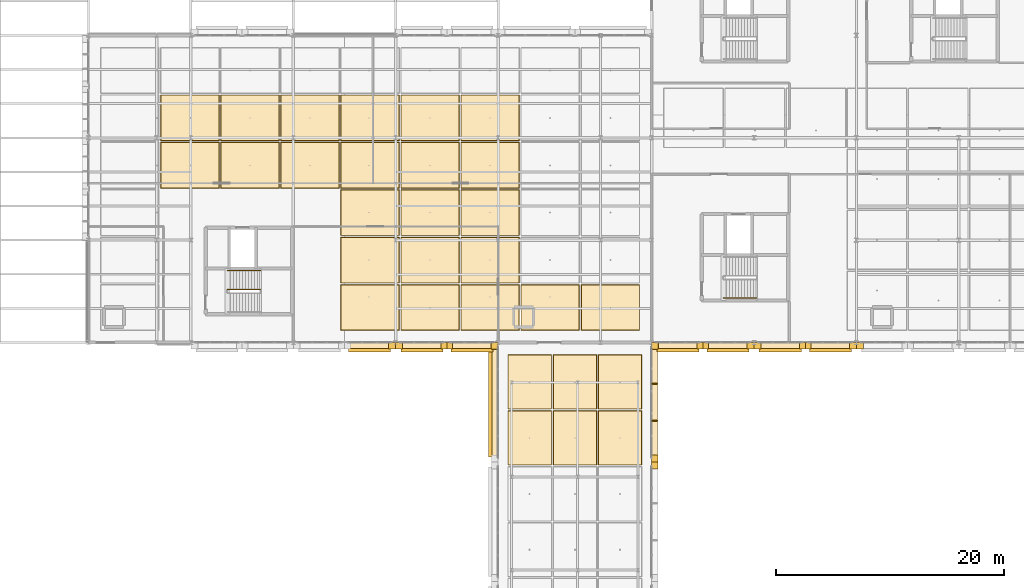
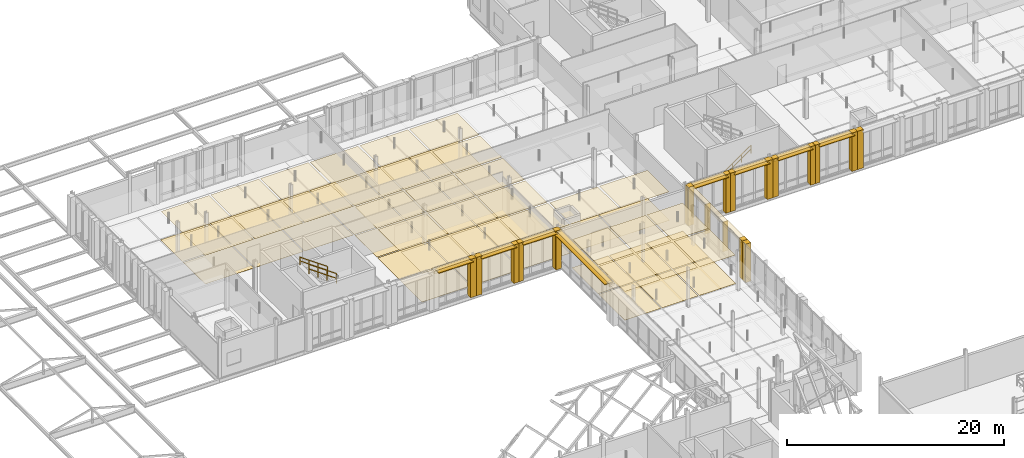
# One storey, part 135 of 140: 85 coverings, 10 shading devices, 3 railings.
"""IFC4 building model written with IfcOpenShell, lengths in metres."""

from ifc_helpers import new_model, si_unit, direction, frame, origin, origin_2d, place, context, subcontext, project, spatial, rectangle, circle, extrude, material, layer, layer_set, type_object, element, save


model = new_model("IFC4")

# Units and contexts
model_context = context("Model", 3, precision=1e-05, world=origin(), true_north=direction((0.0, 1.0)))
body_context = subcontext(model_context, "Body", "Model", "MODEL_VIEW")
ifc_project = project(units=[si_unit("LENGTHUNIT", "METRE"), si_unit("AREAUNIT", "SQUARE_METRE"), si_unit("VOLUMEUNIT", "CUBIC_METRE"), si_unit("PLANEANGLEUNIT", "RADIAN"), si_unit("MASSUNIT", "GRAM", prefix="KILO"), si_unit("THERMODYNAMICTEMPERATUREUNIT", "KELVIN"), si_unit("POWERUNIT", "WATT")], contexts=[model_context])

# Site, building, storey
site_placement = place(None, origin())
site = spatial("IfcSite", under=ifc_project, at=site_placement, CompositionType="ELEMENT")
building_placement = place(site_placement, origin())
building = spatial("IfcBuilding", under=site, at=building_placement, Name="Tallowbark Science Centre", CompositionType="ELEMENT")
storey_placement = place(building_placement, frame((0.0, 0.0, 9.89990234375)))
storey = spatial("IfcBuildingStorey", under=building, at=storey_placement, Name="L02", CompositionType="ELEMENT", Elevation=9.89990234375)

# Coverings
ifc_material_1 = material(Name="Cleanable Vinyl-Faced Laboratory Ceiling Tile")
ifc_layer_1 = layer(ifc_material_1, 0.01611328125)
ifc_layer_set_1 = layer_set([ifc_layer_1], Name="Cleanable Vinyl-Faced Laboratory Ceiling Tile")
covering_type_1 = type_object("IfcCoveringType", Name="CLG-LAB-16", PredefinedType="CEILING", material=ifc_layer_set_1)
for number, where, z_axis, x_axis, name in (
    (1, (71.916748046875, 87.583251953125, 3.192138671875), (0.0, 0.0, 1.0), (1.0, 0.0, 0.0), "Suspended Ceiling L02-872"),
    (2, (71.916748046875, 91.75, 3.192138671875), (0.0, 0.0, 1.0), (1.0, 0.0, 0.0), "Suspended Ceiling L02-873"),
    (3, (77.1943359375, 87.583251953125, 3.192138671875), (0.0, 0.0, 1.0), (1.0, 0.0, 0.0), "Suspended Ceiling L02-875"),
    (4, (77.1943359375, 91.75, 3.192138671875), (0.0, 0.0, 1.0), (1.0, 0.0, 0.0), "Suspended Ceiling L02-876"),
    (5, (82.47216796875, 87.583251953125, 3.192138671875), (0.0, 0.0, 1.0), (1.0, 0.0, 0.0), "Suspended Ceiling L02-878"),
    (6, (82.47216796875, 91.75, 3.192138671875), (0.0, 0.0, 1.0), (1.0, 0.0, 0.0), "Suspended Ceiling L02-879"),
    (7, (87.75, 75.083251953125, 3.192138671875), (0.0, 0.0, 1.0), (1.0, 0.0, 0.0), "Suspended Ceiling L02-881"),
    (8, (87.75, 79.25, 3.192138671875), (0.0, 0.0, 1.0), (1.0, 0.0, 0.0), "Suspended Ceiling L02-882"),
    (9, (87.75, 83.416748046875, 3.192138671875), (0.0, 0.0, 1.0), (1.0, 0.0, 0.0), "Suspended Ceiling L02-883"),
    (10, (87.75, 87.583251953125, 3.192138671875), (0.0, 0.0, 1.0), (1.0, 0.0, 0.0), "Suspended Ceiling L02-884"),
    (11, (87.75, 91.75, 3.192138671875), (0.0, 0.0, 1.0), (1.0, 0.0, 0.0), "Suspended Ceiling L02-885"),
    (12, (93.02783203125, 75.083251953125, 3.192138671875), (0.0, 0.0, 1.0), (1.0, 0.0, 0.0), "Suspended Ceiling L02-887"),
    (13, (93.02783203125, 79.25, 3.192138671875), (0.0, 0.0, 1.0), (1.0, 0.0, 0.0), "Suspended Ceiling L02-888"),
    (14, (93.02783203125, 83.416748046875, 3.192138671875), (0.0, 0.0, 1.0), (1.0, 0.0, 0.0), "Suspended Ceiling L02-889"),
    (15, (93.02783203125, 87.583251953125, 3.192138671875), (0.0, 0.0, 1.0), (1.0, 0.0, 0.0), "Suspended Ceiling L02-890"),
    (16, (93.02783203125, 91.75, 3.192138671875), (0.0, 0.0, 1.0), (1.0, 0.0, 0.0), "Suspended Ceiling L02-891"),
    (17, (98.3056640625, 75.083251953125, 3.192138671875), (0.0, 0.0, 1.0), (1.0, 0.0, 0.0), "Suspended Ceiling L02-893"),
    (18, (98.3056640625, 79.25, 3.192138671875), (0.0, 0.0, 1.0), (1.0, 0.0, 0.0), "Suspended Ceiling L02-894"),
    (19, (98.3056640625, 83.416748046875, 3.192138671875), (0.0, 0.0, 1.0), (1.0, 0.0, 0.0), "Suspended Ceiling L02-895"),
    (20, (98.3056640625, 87.583251953125, 3.192138671875), (0.0, 0.0, 1.0), (1.0, 0.0, 0.0), "Suspended Ceiling L02-896"),
    (21, (98.3056640625, 91.75, 3.192138671875), (0.0, 0.0, 1.0), (1.0, 0.0, 0.0), "Suspended Ceiling L02-897"),
    (22, (103.583251953125, 75.083251953125, 3.192138671875), (0.0, 0.0, 1.0), (1.0, 0.0, 0.0), "Suspended Ceiling L02-899"),
    (23, (108.861083984375, 75.083251953125, 3.192138671875), (0.0, 0.0, 1.0), (1.0, 0.0, 0.0), "Suspended Ceiling L02-905"),
):
    element("IfcCovering", number, at=place(storey_placement, frame(where, z_axis=z_axis, x_axis=x_axis)), inside=storey, type_object=covering_type_1, Name=name, PredefinedType="CEILING", context=body_context, shape_type="SweptSolid", body=[
        extrude(rectangle(XDim=5.097900390625, YDim=3.98681640625, at=origin_2d()), origin(), (0.0, 0.0, 1.0), 0.01611328125),
    ])
ifc_material_2 = material(Name="Perforated Spotted Gum Acoustic Baffle Ceiling", Category="wood")
ifc_layer_2 = layer(ifc_material_2, 0.02490234375)
ifc_layer_set_2 = layer_set([ifc_layer_2], Name="Perforated Spotted Gum Acoustic Baffle Ceiling")
covering_type_2 = type_object("IfcCoveringType", Name="CLG-TIM-25", PredefinedType="CEILING", material=ifc_layer_set_2)
for number, where, z_axis, x_axis, name in (
    (24, (101.783203125, 63.625, 3.187744140625), (0.0, 0.0, 1.0), (1.0, 0.0, 0.0), "Suspended Ceiling L02-852"),
    (25, (101.783203125, 68.541748046875, 3.187744140625), (0.0, 0.0, 1.0), (1.0, 0.0, 0.0), "Suspended Ceiling L02-853"),
    (26, (105.75, 63.625, 3.187744140625), (0.0, 0.0, 1.0), (1.0, 0.0, 0.0), "Suspended Ceiling L02-858"),
    (27, (105.75, 68.541748046875, 3.187744140625), (0.0, 0.0, 1.0), (1.0, 0.0, 0.0), "Suspended Ceiling L02-859"),
    (28, (109.716796875, 63.625, 3.187744140625), (0.0, 0.0, 1.0), (1.0, 0.0, 0.0), "Suspended Ceiling L02-864"),
    (29, (109.716796875, 68.541748046875, 3.187744140625), (0.0, 0.0, 1.0), (1.0, 0.0, 0.0), "Suspended Ceiling L02-865"),
):
    element("IfcCovering", number, at=place(storey_placement, frame(where, z_axis=z_axis, x_axis=x_axis)), inside=storey, type_object=covering_type_2, Name=name, PredefinedType="CEILING", context=body_context, shape_type="SweptSolid", body=[
        extrude(rectangle(XDim=3.78662109375, YDim=4.73681640625, at=origin_2d()), origin(), (0.0, 0.0, 1.0), 0.02490234375),
    ])
ifc_material_3 = material(Name="White Architectural Precast Concrete Grade N40 (40 MPa)", Category="concrete")
ifc_layer_3 = layer(ifc_material_3, 0.1201171875)
ifc_layer_set_3 = layer_set([ifc_layer_3], Name="White Architectural Precast Concrete Grade N40 (40 MPa)")
covering_type_3 = type_object("IfcCoveringType", Name="COV-PRC-CLAD", PredefinedType="CLADDING", material=ifc_layer_set_3)
for number, where, z_axis, x_axis, name in (
    (30, (112.780029296875, 61.195068359375, 0.0), (0.0, 0.0, 1.0), (0.0, 1.0, 0.0), "Postmodern Deep Precast Pier CW-L02-019-2"),
    (31, (98.719970703125, 71.695068359375, 0.0), (0.0, 0.0, 1.0), (0.0, -1.0, 0.0), "Postmodern Deep Precast Pier CW-L02-020-1"),
    (32, (112.780029296875, 61.804931640625, 0.0), (0.0, 0.0, 1.0), (0.0, 1.0, 0.0), "Postmodern Deep Precast Pier CW-L02-021-1"),
    (33, (112.780029296875, 71.695068359375, 0.0), (0.0, 0.0, 1.0), (0.0, 1.0, 0.0), "Postmodern Deep Precast Pier CW-L02-021-2"),
    (34, (89.695068359375, 71.719970703125, 0.0), (0.0, 0.0, 1.0), (1.0, 0.0, 0.0), "Postmodern Deep Precast Pier CW-L02-063-2"),
    (35, (90.304931640625, 71.719970703125, 0.0), (0.0, 0.0, 1.0), (1.0, 0.0, 0.0), "Postmodern Deep Precast Pier CW-L02-064-1"),
):
    element("IfcCovering", number, at=place(storey_placement, frame(where, z_axis=z_axis, x_axis=x_axis)), inside=storey, type_object=covering_type_3, Name=name, PredefinedType="CLADDING", context=body_context, shape_type="SweptSolid", body=[
        extrude(rectangle(XDim=0.610107421875, YDim=0.56005859375, at=origin_2d()), origin(), (0.0, 0.0, 1.0), 4.320068359375),
    ])
for number, where, z_axis, x_axis, name in (
    (36, (94.2451171875, 71.719970703125, 0.0), (0.0, 0.0, 1.0), (1.0, 0.0, 0.0), "Postmodern Deep Precast Pier CW-L02-064-2"),
    (37, (94.7548828125, 71.719970703125, 0.0), (0.0, 0.0, 1.0), (1.0, 0.0, 0.0), "Postmodern Deep Precast Pier CW-L02-065-1"),
):
    element("IfcCovering", number, at=place(storey_placement, frame(where, z_axis=z_axis, x_axis=x_axis)), inside=storey, type_object=covering_type_3, Name=name, PredefinedType="CLADDING", context=body_context, shape_type="SweptSolid", body=[
        extrude(rectangle(XDim=0.510009765625, YDim=0.56005859375, at=origin_2d()), origin(), (0.0, 0.0, 1.0), 4.320068359375),
    ])
for number, where, z_axis, x_axis, name in (
    (38, (98.695068359375, 71.719970703125, 0.0), (0.0, 0.0, 1.0), (1.0, 0.0, 0.0), "Postmodern Deep Precast Pier CW-L02-065-2"),
    (39, (112.804931640625, 71.719970703125, 0.0), (0.0, 0.0, 1.0), (1.0, 0.0, 0.0), "Postmodern Deep Precast Pier CW-L02-138-1"),
):
    element("IfcCovering", number, at=place(storey_placement, frame(where, z_axis=z_axis, x_axis=x_axis)), inside=storey, type_object=covering_type_3, Name=name, PredefinedType="CLADDING", context=body_context, shape_type="SweptSolid", body=[
        extrude(rectangle(XDim=0.610107421875, YDim=0.56005859375, at=origin_2d()), origin(), (0.0, 0.0, 1.0), 4.320068359375),
    ])
for number, where, z_axis, x_axis, name in (
    (40, (116.7451171875, 71.719970703125, 0.0), (0.0, 0.0, 1.0), (1.0, 0.0, 0.0), "Postmodern Deep Precast Pier CW-L02-138-2"),
    (41, (117.2548828125, 71.719970703125, 0.0), (0.0, 0.0, 1.0), (1.0, 0.0, 0.0), "Postmodern Deep Precast Pier CW-L02-139-1"),
):
    element("IfcCovering", number, at=place(storey_placement, frame(where, z_axis=z_axis, x_axis=x_axis)), inside=storey, type_object=covering_type_3, Name=name, PredefinedType="CLADDING", context=body_context, shape_type="SweptSolid", body=[
        extrude(rectangle(XDim=0.510009765625, YDim=0.56005859375, at=origin_2d()), origin(), (0.0, 0.0, 1.0), 4.320068359375),
    ])
for number, where, z_axis, x_axis, name in (
    (42, (121.195068359375, 71.719970703125, 0.0), (0.0, 0.0, 1.0), (1.0, 0.0, 0.0), "Postmodern Deep Precast Pier CW-L02-139-2"),
    (43, (121.804931640625, 71.719970703125, 0.0), (0.0, 0.0, 1.0), (1.0, 0.0, 0.0), "Postmodern Deep Precast Pier CW-L02-142-1"),
):
    element("IfcCovering", number, at=place(storey_placement, frame(where, z_axis=z_axis, x_axis=x_axis)), inside=storey, type_object=covering_type_3, Name=name, PredefinedType="CLADDING", context=body_context, shape_type="SweptSolid", body=[
        extrude(rectangle(XDim=0.610107421875, YDim=0.56005859375, at=origin_2d()), origin(), (0.0, 0.0, 1.0), 4.320068359375),
    ])
for number, where, z_axis, x_axis, name in (
    (44, (125.7451171875, 71.719970703125, 0.0), (0.0, 0.0, 1.0), (1.0, 0.0, 0.0), "Postmodern Deep Precast Pier CW-L02-142-2"),
    (45, (126.2548828125, 71.719970703125, 0.0), (0.0, 0.0, 1.0), (1.0, 0.0, 0.0), "Postmodern Deep Precast Pier CW-L02-143-1"),
):
    element("IfcCovering", number, at=place(storey_placement, frame(where, z_axis=z_axis, x_axis=x_axis)), inside=storey, type_object=covering_type_3, Name=name, PredefinedType="CLADDING", context=body_context, shape_type="SweptSolid", body=[
        extrude(rectangle(XDim=0.510009765625, YDim=0.56005859375, at=origin_2d()), origin(), (0.0, 0.0, 1.0), 4.320068359375),
    ])
for number, where, z_axis, x_axis, name in (
    (46, (130.195068359375, 71.719970703125, 0.0), (0.0, 0.0, 1.0), (1.0, 0.0, 0.0), "Postmodern Deep Precast Pier CW-L02-143-2"),
    (47, (130.804931640625, 71.719970703125, 0.0), (0.0, 0.0, 1.0), (1.0, 0.0, 0.0), "Postmodern Deep Precast Pier CW-L02-146-1"),
):
    element("IfcCovering", number, at=place(storey_placement, frame(where, z_axis=z_axis, x_axis=x_axis)), inside=storey, type_object=covering_type_3, Name=name, PredefinedType="CLADDING", context=body_context, shape_type="SweptSolid", body=[
        extrude(rectangle(XDim=0.610107421875, YDim=0.56005859375, at=origin_2d()), origin(), (0.0, 0.0, 1.0), 4.320068359375),
    ])
ifc_material_4 = material(Name="Vitrified Ochre Terracotta Architectural Rainscreen", Category="masonry")
ifc_layer_4 = layer(ifc_material_4, 0.0380859375)
ifc_layer_set_4 = layer_set([ifc_layer_4], Name="Vitrified Ochre Terracotta Architectural Rainscreen")
covering_type_4 = type_object("IfcCoveringType", Name="COV-TER-CLAD", PredefinedType="CLADDING", material=ifc_layer_set_4)
for number, where, z_axis, x_axis, name in (
    (48, (98.739990234375, 66.75, 3.97021484375), (0.0, 0.0, 1.0), (0.0, -1.0, 0.0), "Postmodern Terracotta Cornice Band CW-L02-020"),
    (49, (112.760009765625, 66.75, 3.97021484375), (0.0, 0.0, 1.0), (0.0, 1.0, 0.0), "Postmodern Terracotta Cornice Band CW-L02-021"),
):
    element("IfcCovering", number, at=place(storey_placement, frame(where, z_axis=z_axis, x_axis=x_axis)), inside=storey, type_object=covering_type_4, Name=name, PredefinedType="CLADDING", context=body_context, shape_type="SweptSolid", body=[
        extrude(rectangle(XDim=10.199951171875, YDim=0.52001953125, at=origin_2d()), origin(), (0.0, 0.0, 1.0), 0.340087890625),
    ])
for number, where, z_axis, x_axis, name in (
    (50, (87.699951171875, 71.739990234375, 3.97021484375), (0.0, 0.0, 1.0), (1.0, 0.0, 0.0), "Postmodern Terracotta Cornice Band CW-L02-063"),
    (51, (92.300048828125, 71.739990234375, 3.97021484375), (0.0, 0.0, 1.0), (1.0, 0.0, 0.0), "Postmodern Terracotta Cornice Band CW-L02-064"),
    (52, (96.699951171875, 71.739990234375, 3.97021484375), (0.0, 0.0, 1.0), (1.0, 0.0, 0.0), "Postmodern Terracotta Cornice Band CW-L02-065"),
    (53, (114.800048828125, 71.739990234375, 3.97021484375), (0.0, 0.0, 1.0), (1.0, 0.0, 0.0), "Postmodern Terracotta Cornice Band CW-L02-138"),
    (54, (119.199951171875, 71.739990234375, 3.97021484375), (0.0, 0.0, 1.0), (1.0, 0.0, 0.0), "Postmodern Terracotta Cornice Band CW-L02-139"),
    (55, (123.800048828125, 71.739990234375, 3.97021484375), (0.0, 0.0, 1.0), (1.0, 0.0, 0.0), "Postmodern Terracotta Cornice Band CW-L02-142"),
    (56, (128.199951171875, 71.739990234375, 3.97021484375), (0.0, 0.0, 1.0), (1.0, 0.0, 0.0), "Postmodern Terracotta Cornice Band CW-L02-143"),
):
    element("IfcCovering", number, at=place(storey_placement, frame(where, z_axis=z_axis, x_axis=x_axis)), inside=storey, type_object=covering_type_4, Name=name, PredefinedType="CLADDING", context=body_context, shape_type="SweptSolid", body=[
        extrude(rectangle(XDim=4.300048828125, YDim=0.52001953125, at=origin_2d()), origin(), (0.0, 0.0, 1.0), 0.340087890625),
    ])
ifc_material_5 = material(Name="Polished Recycled-Glass Terrazzo Foyer Flooring", Category="glass")
ifc_layer_5 = layer(ifc_material_5, 0.02001953125)
ifc_layer_set_5 = layer_set([ifc_layer_5], Name="Polished Recycled-Glass Terrazzo Foyer Flooring")
covering_type_5 = type_object("IfcCoveringType", Name="FLR-TER-20", PredefinedType="FLOORING", material=ifc_layer_set_5)
for number, where, z_axis, x_axis, name in (
    (57, (101.783203125, 63.625, 0.0), (0.0, 0.0, 1.0), (1.0, 0.0, 0.0), "Floor Finish L02-852"),
    (58, (101.783203125, 68.541748046875, 0.0), (0.0, 0.0, 1.0), (1.0, 0.0, 0.0), "Floor Finish L02-853"),
    (59, (105.75, 63.625, 0.0), (0.0, 0.0, 1.0), (1.0, 0.0, 0.0), "Floor Finish L02-858"),
    (60, (105.75, 68.541748046875, 0.0), (0.0, 0.0, 1.0), (1.0, 0.0, 0.0), "Floor Finish L02-859"),
    (61, (109.716796875, 63.625, 0.0), (0.0, 0.0, 1.0), (1.0, 0.0, 0.0), "Floor Finish L02-864"),
    (62, (109.716796875, 68.541748046875, 0.0), (0.0, 0.0, 1.0), (1.0, 0.0, 0.0), "Floor Finish L02-865"),
):
    element("IfcCovering", number, at=place(storey_placement, frame(where, z_axis=z_axis, x_axis=x_axis)), inside=storey, type_object=covering_type_5, Name=name, PredefinedType="FLOORING", context=body_context, shape_type="SweptSolid", body=[
        extrude(rectangle(XDim=3.8466796875, YDim=4.796630859375, at=origin_2d()), origin(), (0.0, 0.0, 1.0), 0.02001953125),
    ])
ifc_material_6 = material(Name="Chemical-Resistant Seamless Laboratory Vinyl")
ifc_layer_6 = layer(ifc_material_6, 0.011962890625)
ifc_layer_set_6 = layer_set([ifc_layer_6], Name="Chemical-Resistant Seamless Laboratory Vinyl")
covering_type_6 = type_object("IfcCoveringType", Name="FLR-VIN-12", PredefinedType="FLOORING", material=ifc_layer_set_6)
for number, where, z_axis, x_axis, name in (
    (63, (71.916748046875, 87.583251953125, 0.0), (0.0, 0.0, 1.0), (1.0, 0.0, 0.0), "Floor Finish L02-872"),
    (64, (71.916748046875, 91.75, 0.0), (0.0, 0.0, 1.0), (1.0, 0.0, 0.0), "Floor Finish L02-873"),
    (65, (77.1943359375, 87.583251953125, 0.0), (0.0, 0.0, 1.0), (1.0, 0.0, 0.0), "Floor Finish L02-875"),
    (66, (77.1943359375, 91.75, 0.0), (0.0, 0.0, 1.0), (1.0, 0.0, 0.0), "Floor Finish L02-876"),
    (67, (82.47216796875, 87.583251953125, 0.0), (0.0, 0.0, 1.0), (1.0, 0.0, 0.0), "Floor Finish L02-878"),
    (68, (82.47216796875, 91.75, 0.0), (0.0, 0.0, 1.0), (1.0, 0.0, 0.0), "Floor Finish L02-879"),
    (69, (87.75, 75.083251953125, 0.0), (0.0, 0.0, 1.0), (1.0, 0.0, 0.0), "Floor Finish L02-881"),
    (70, (87.75, 79.25, 0.0), (0.0, 0.0, 1.0), (1.0, 0.0, 0.0), "Floor Finish L02-882"),
    (71, (87.75, 83.416748046875, 0.0), (0.0, 0.0, 1.0), (1.0, 0.0, 0.0), "Floor Finish L02-883"),
    (72, (87.75, 87.583251953125, 0.0), (0.0, 0.0, 1.0), (1.0, 0.0, 0.0), "Floor Finish L02-884"),
    (73, (87.75, 91.75, 0.0), (0.0, 0.0, 1.0), (1.0, 0.0, 0.0), "Floor Finish L02-885"),
    (74, (93.02783203125, 75.083251953125, 0.0), (0.0, 0.0, 1.0), (1.0, 0.0, 0.0), "Floor Finish L02-887"),
    (75, (93.02783203125, 79.25, 0.0), (0.0, 0.0, 1.0), (1.0, 0.0, 0.0), "Floor Finish L02-888"),
    (76, (93.02783203125, 83.416748046875, 0.0), (0.0, 0.0, 1.0), (1.0, 0.0, 0.0), "Floor Finish L02-889"),
    (77, (93.02783203125, 87.583251953125, 0.0), (0.0, 0.0, 1.0), (1.0, 0.0, 0.0), "Floor Finish L02-890"),
    (78, (93.02783203125, 91.75, 0.0), (0.0, 0.0, 1.0), (1.0, 0.0, 0.0), "Floor Finish L02-891"),
    (79, (98.3056640625, 75.083251953125, 0.0), (0.0, 0.0, 1.0), (1.0, 0.0, 0.0), "Floor Finish L02-893"),
    (80, (98.3056640625, 79.25, 0.0), (0.0, 0.0, 1.0), (1.0, 0.0, 0.0), "Floor Finish L02-894"),
    (81, (98.3056640625, 83.416748046875, 0.0), (0.0, 0.0, 1.0), (1.0, 0.0, 0.0), "Floor Finish L02-895"),
    (82, (98.3056640625, 87.583251953125, 0.0), (0.0, 0.0, 1.0), (1.0, 0.0, 0.0), "Floor Finish L02-896"),
    (83, (98.3056640625, 91.75, 0.0), (0.0, 0.0, 1.0), (1.0, 0.0, 0.0), "Floor Finish L02-897"),
    (84, (103.583251953125, 75.083251953125, 0.0), (0.0, 0.0, 1.0), (1.0, 0.0, 0.0), "Floor Finish L02-899"),
    (85, (108.861083984375, 75.083251953125, 0.0), (0.0, 0.0, 1.0), (1.0, 0.0, 0.0), "Floor Finish L02-905"),
):
    element("IfcCovering", number, at=place(storey_placement, frame(where, z_axis=z_axis, x_axis=x_axis)), inside=storey, type_object=covering_type_6, Name=name, PredefinedType="FLOORING", context=body_context, shape_type="SweptSolid", body=[
        extrude(rectangle(XDim=5.15771484375, YDim=4.046630859375, at=origin_2d()), origin(), (0.0, 0.0, 1.0), 0.011962890625),
    ])

# Railings
ifc_material_7 = material(Name="Galvanised Painted Steel and Laminated Glass Balustrade", Category="steel")
ifc_layer_7 = layer(ifc_material_7, 0.070068359375)
ifc_layer_set_7 = layer_set([ifc_layer_7], Name="Galvanised Painted Steel and Laminated Glass Balustrade")
railing_type_1 = type_object("IfcRailingType", Name="RLG-BAL-1150", PredefinedType="BALUSTRADE", material=ifc_layer_set_7)
railing_1_placement = place(storey_placement, frame((78.125, 76.659912109375, 2.4375)))
element("IfcRailing", 86, at=railing_1_placement, inside=storey, type_object=railing_type_1, Name="L02 ST-01 stair guard 3", PredefinedType="BALUSTRADE", context=body_context, shape_type="SweptSolid", body=[
    extrude(circle(Radius=0.02392578125, at=origin_2d()), frame((0.0, 0.0, 1.076171875), z_axis=(-0.816330724661, 0.0, 0.577584753931), x_axis=(0.0, -1.0, 0.0)), (0.0, 0.0, 1.0), 3.57080078125),
    extrude(circle(Radius=0.02392578125, at=origin_2d()), frame((0.0, 0.0, 0.550048828125), z_axis=(-0.816330724661, 0.0, 0.577584753931), x_axis=(0.0, -1.0, 0.0)), (0.0, 0.0, 1.0), 3.57080078125),
    extrude(circle(Radius=0.02099609375, at=origin_2d()), origin(), (0.0, 0.0, 1.0), 1.052001953125),
    extrude(circle(Radius=0.02099609375, at=origin_2d()), frame((-0.9716796875, 0.0, 0.6875)), (0.0, 0.0, 1.0), 1.052001953125),
    extrude(circle(Radius=0.02099609375, at=origin_2d()), frame((-1.943359375, 0.0, 1.375)), (0.0, 0.0, 1.0), 1.052001953125),
    extrude(circle(Radius=0.02099609375, at=origin_2d()), frame((-2.9150390625, 0.0, 2.0625)), (0.0, 0.0, 1.0), 1.052001953125),
])
ifc_material_8 = material(Name="Brushed Grade 316 Stainless Steel Handrail", Category="steel")
ifc_layer_8 = layer(ifc_material_8, 0.050048828125)
ifc_layer_set_8 = layer_set([ifc_layer_8], Name="Brushed Grade 316 Stainless Steel Handrail")
railing_type_2 = type_object("IfcRailingType", Name="RLG-HDR-950", PredefinedType="HANDRAIL", material=ifc_layer_set_8)
railing_2_placement = place(storey_placement, frame((78.125, 78.320068359375, 2.4375)))
element("IfcRailing", 87, at=railing_2_placement, inside=storey, type_object=railing_type_2, Name="L02 ST-01 stair handrail 2", PredefinedType="HANDRAIL", context=body_context, shape_type="SweptSolid", body=[
    extrude(circle(Radius=0.02392578125, at=origin_2d()), frame((0.0, 0.0, 0.8759765625), z_axis=(-0.816330724661, 0.0, 0.577584753931), x_axis=(0.0, -1.0, 0.0)), (0.0, 0.0, 1.0), 3.57080078125),
    extrude(circle(Radius=0.02392578125, at=origin_2d()), frame((0.0, 0.0, 0.449951171875), z_axis=(-0.816330724661, 0.0, 0.577584753931), x_axis=(0.0, -1.0, 0.0)), (0.0, 0.0, 1.0), 3.57080078125),
    extrude(circle(Radius=0.02099609375, at=origin_2d()), origin(), (0.0, 0.0, 1.0), 0.851806640625),
    extrude(circle(Radius=0.02099609375, at=origin_2d()), frame((-0.9716796875, 0.0, 0.6875)), (0.0, 0.0, 1.0), 0.851806640625),
    extrude(circle(Radius=0.02099609375, at=origin_2d()), frame((-1.943359375, 0.0, 1.375)), (0.0, 0.0, 1.0), 0.851806640625),
    extrude(circle(Radius=0.02099609375, at=origin_2d()), frame((-2.9150390625, 0.0, 2.0625)), (0.0, 0.0, 1.0), 0.851806640625),
])
railing_3_placement = place(storey_placement, frame((118.81005859375, 75.89990234375, 0.1875)))
element("IfcRailing", 88, at=railing_3_placement, inside=storey, type_object=railing_type_2, Name="L02 ST-02 stair handrail 1", PredefinedType="HANDRAIL", context=body_context, shape_type="SweptSolid", body=[
    extrude(circle(Radius=0.02392578125, at=origin_2d()), frame((0.0, 0.0, 0.8759765625), z_axis=(0.816330724661, 0.0, 0.577584753931), x_axis=(0.0, 1.0, 0.0)), (0.0, 0.0, 1.0), 3.57080078125),
    extrude(circle(Radius=0.02392578125, at=origin_2d()), frame((0.0, 0.0, 0.449951171875), z_axis=(0.816330724661, 0.0, 0.577584753931), x_axis=(0.0, 1.0, 0.0)), (0.0, 0.0, 1.0), 3.57080078125),
    extrude(circle(Radius=0.02099609375, at=origin_2d()), origin(), (0.0, 0.0, 1.0), 0.851806640625),
    extrude(circle(Radius=0.02099609375, at=origin_2d()), frame((0.9716796875, 0.0, 0.6875)), (0.0, 0.0, 1.0), 0.851806640625),
    extrude(circle(Radius=0.02099609375, at=origin_2d()), frame((1.943359375, 0.0, 1.375)), (0.0, 0.0, 1.0), 0.851806640625),
    extrude(circle(Radius=0.02099609375, at=origin_2d()), frame((2.9150390625, 0.0, 2.0625)), (0.0, 0.0, 1.0), 0.851806640625),
])

# Shading devices
ifc_material_9 = material(Name="Sandstone-Finished Architectural Aluminium Solar Fin", Category="masonry")
shading_device_type_1 = type_object("IfcShadingDeviceType", Name="SHD-FIN-400", PredefinedType="JALOUSIE", material=ifc_material_9)
for number, where, z_axis, x_axis, name in (
    (89, (112.780029296875, 65.11669921875, 0.92529296875), (0.0, 0.0, 1.0), (0.0, 1.0, 0.0), "Vertical Solar Fin CW-L02-021-1"),
    (90, (112.780029296875, 68.38330078125, 0.92529296875), (0.0, 0.0, 1.0), (0.0, 1.0, 0.0), "Vertical Solar Fin CW-L02-021-2"),
):
    element("IfcShadingDevice", number, at=place(storey_placement, frame(where, z_axis=z_axis, x_axis=x_axis)), inside=storey, type_object=shading_device_type_1, Name=name, PredefinedType="JALOUSIE", context=body_context, shape_type="SweptSolid", body=[
        extrude(rectangle(XDim=0.074951171875, YDim=0.550048828125, at=origin_2d()), origin(), (0.0, 0.0, 1.0), 3.320068359375),
    ])
ifc_material_10 = material(Name="Terracotta-Anodised Extruded Aluminium Sunshade Blade", Category="masonry")
ifc_layer_9 = layer(ifc_material_10, 0.054931640625)
ifc_layer_set_9 = layer_set([ifc_layer_9], Name="Terracotta-Anodised Extruded Aluminium Sunshade Blade")
shading_device_type_2 = type_object("IfcShadingDeviceType", Name="SHD-LVR-300", PredefinedType="AWNING", material=ifc_layer_set_9)
shading_device_placement = place(storey_placement, frame((98.580078125, 66.75, 4.1328125), z_axis=(0.0, 0.0, 1.0), x_axis=(0.0, -1.0, 0.0)))
element("IfcShadingDevice", 91, at=shading_device_placement, inside=storey, type_object=shading_device_type_2, Name="Horizontal Solar Louvre Hood CW-L02-020", PredefinedType="AWNING", context=body_context, shape_type="SweptSolid", body=[
    extrude(rectangle(XDim=9.60009765625, YDim=0.840087890625, at=origin_2d()), origin(), (0.0, 0.0, 1.0), 0.054931640625),
])
for number, where, z_axis, x_axis, name in (
    (92, (87.699951171875, 71.580078125, 4.1328125), (0.0, 0.0, 1.0), (1.0, 0.0, 0.0), "Horizontal Solar Louvre Hood CW-L02-063"),
    (93, (92.300048828125, 71.580078125, 4.1328125), (0.0, 0.0, 1.0), (1.0, 0.0, 0.0), "Horizontal Solar Louvre Hood CW-L02-064"),
    (94, (96.699951171875, 71.580078125, 4.1328125), (0.0, 0.0, 1.0), (1.0, 0.0, 0.0), "Horizontal Solar Louvre Hood CW-L02-065"),
    (95, (114.800048828125, 71.580078125, 4.1328125), (0.0, 0.0, 1.0), (1.0, 0.0, 0.0), "Horizontal Solar Louvre Hood CW-L02-138"),
    (96, (119.199951171875, 71.580078125, 4.1328125), (0.0, 0.0, 1.0), (1.0, 0.0, 0.0), "Horizontal Solar Louvre Hood CW-L02-139"),
    (97, (123.800048828125, 71.580078125, 4.1328125), (0.0, 0.0, 1.0), (1.0, 0.0, 0.0), "Horizontal Solar Louvre Hood CW-L02-142"),
    (98, (128.199951171875, 71.580078125, 4.1328125), (0.0, 0.0, 1.0), (1.0, 0.0, 0.0), "Horizontal Solar Louvre Hood CW-L02-143"),
):
    element("IfcShadingDevice", number, at=place(storey_placement, frame(where, z_axis=z_axis, x_axis=x_axis)), inside=storey, type_object=shading_device_type_2, Name=name, PredefinedType="AWNING", context=body_context, shape_type="SweptSolid", body=[
        extrude(rectangle(XDim=3.699951171875, YDim=0.840087890625, at=origin_2d()), origin(), (0.0, 0.0, 1.0), 0.054931640625),
    ])

save(model, "model.ifc")
